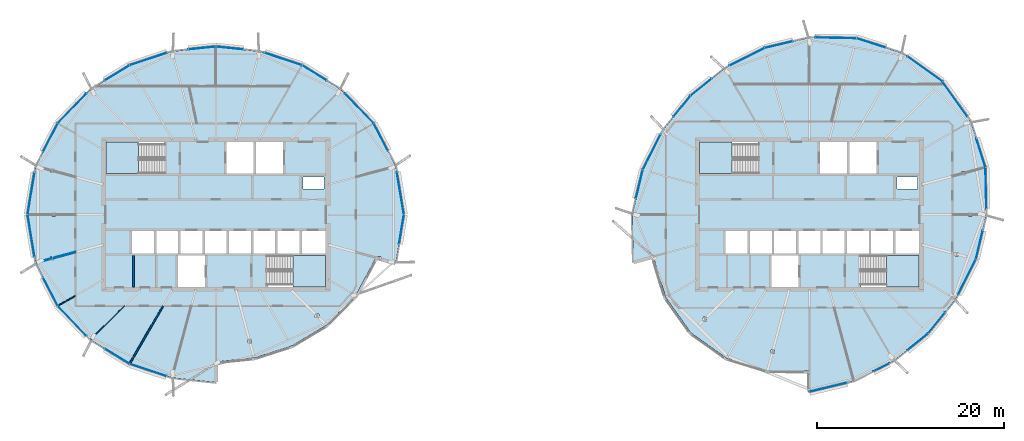
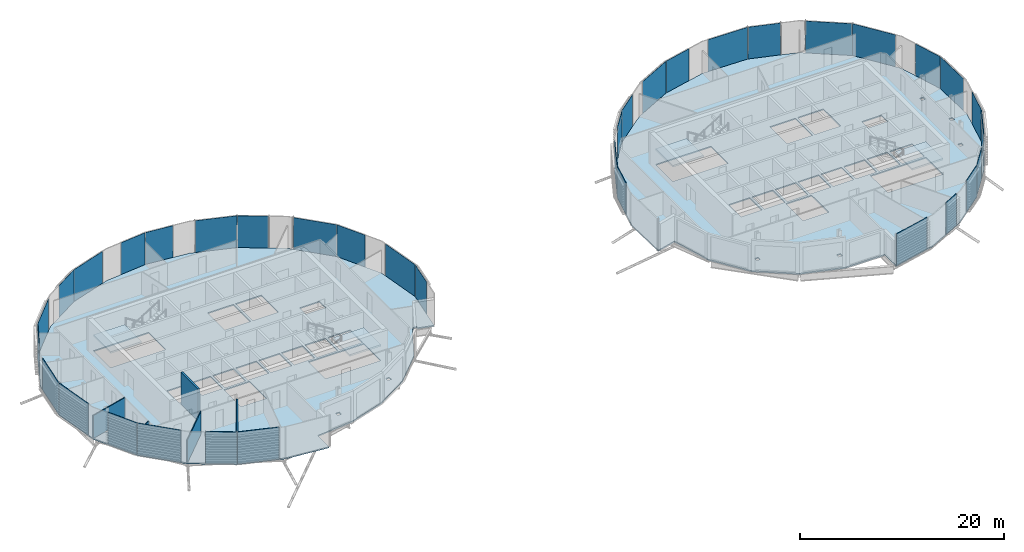
# One storey, part 17 of 36: 36 plates, 6 slabs, 5 walls, 6 elements without a shape of their own.
"""IFC4 building model written with IfcOpenShell, lengths in metres."""

import ifcopenshell
import ifcopenshell.guid

model = None  # the IFC model being written
_history = None  # IfcOwnerHistory: only IFC2X3 demands one
_inside = {}  # id of a spatial element -> (the spatial element, [elements in it])
_under = {}  # id of a project, library or spatial element -> (it, [spatial elements below it])
_declared = {}  # id of a project -> (the project, [libraries it declares])
_typed = {}  # id of a type object -> (the type object, [elements of that type])
_made_of = {}  # id of a material, layer set ... -> (it, [elements and type objects made of it])


def new_model(schema):
    """Start an empty IFC model of exactly this schema.

    Asked for "IFC4X3", IfcOpenShell would pick the latest addendum, in which some entities
    have other attributes; the version numbers below select the first issue.
    IFC2X3 requires an IfcOwnerHistory on every rooted entity: one is made here for all.
    """
    global model, _history
    if schema == "IFC4X3":
        model = ifcopenshell.file(schema_version=(4, 3, 0, 0))
    else:
        model = ifcopenshell.file(schema=schema)
    _inside.clear()
    _under.clear()
    _declared.clear()
    _typed.clear()
    _made_of.clear()
    _history = None
    if model.schema == "IFC2X3":
        org = make("IfcOrganization", Name="unknown")
        user = make(
            "IfcPersonAndOrganization",
            ThePerson=make("IfcPerson", FamilyName="unknown"),
            TheOrganization=org,
        )
        app = make(
            "IfcApplication",
            ApplicationDeveloper=org,
            Version="unknown",
            ApplicationFullName="unknown",
            ApplicationIdentifier="unknown",
        )
        _history = make(
            "IfcOwnerHistory",
            OwningUser=user,
            OwningApplication=app,
            ChangeAction="ADDED",
            CreationDate=0,
        )
    return model


def make(cls, **values):
    """One entity of the class cls with the attributes given. An attribute that is None is left unset."""
    return model.create_entity(
        cls, **{name: value for name, value in values.items() if value is not None}
    )


def rooted(cls, **values):
    """An entity with a GlobalId (a new one), such as an element, a storey or a relation."""
    return make(cls, GlobalId=ifcopenshell.guid.new(), OwnerHistory=_history, **values)


def si_unit(unit_type, name, prefix=None):
    """IfcSIUnit, for example si_unit("LENGTHUNIT", "METRE", prefix="MILLI")."""
    return make("IfcSIUnit", UnitType=unit_type, Prefix=prefix, Name=name)


def assignment(units):
    """IfcUnitAssignment: the units of a project."""
    return None if units is None else make("IfcUnitAssignment", Units=units)


def point(xyz):
    """IfcCartesianPoint."""
    return None if xyz is None else make("IfcCartesianPoint", Coordinates=xyz)


def direction(xyz):
    """IfcDirection."""
    return None if xyz is None else make("IfcDirection", DirectionRatios=xyz)


def frame(location, z_axis=None, x_axis=None):
    """IfcAxis2Placement3D, a coordinate frame: its origin and axes. An axis left out is left unset."""
    return make(
        "IfcAxis2Placement3D",
        Location=point(location),
        Axis=direction(z_axis),
        RefDirection=direction(x_axis),
    )


def frame_2d(location, x_axis=None):
    """IfcAxis2Placement2D, a coordinate frame in the plane: its origin and x axis."""
    return make(
        "IfcAxis2Placement2D", Location=point(location), RefDirection=direction(x_axis)
    )


def origin():
    """The frame at (0, 0, 0) with its axes left unset."""
    return frame((0.0, 0.0, 0.0))


def origin_2d():
    """The frame at (0, 0) in the plane with its x axis left unset."""
    return frame_2d((0.0, 0.0))


def place(relative_to, where):
    """IfcLocalPlacement: puts the frame where relative to a parent placement (None: the world)."""
    return make(
        "IfcLocalPlacement", PlacementRelTo=relative_to, RelativePlacement=where
    )


def context(
    kind, dimensions, precision=None, world=None, true_north=None, identifier=None
):
    """IfcGeometricRepresentationContext, for example the 3D "Model" context."""
    return make(
        "IfcGeometricRepresentationContext",
        ContextIdentifier=identifier,
        ContextType=kind,
        CoordinateSpaceDimension=dimensions,
        Precision=precision,
        WorldCoordinateSystem=world,
        TrueNorth=true_north,
    )


def subcontext(parent, identifier, kind, view, scale=None):
    """IfcGeometricRepresentationSubContext, for example "Body" below "Model"."""
    return make(
        "IfcGeometricRepresentationSubContext",
        ContextIdentifier=identifier,
        ContextType=kind,
        ParentContext=parent,
        TargetScale=scale,
        TargetView=view,
    )


def project(units=None, contexts=None):
    """IfcProject with its units and contexts."""
    return rooted(
        "IfcProject",
        Name="project",
        RepresentationContexts=contexts,
        UnitsInContext=assignment(units),
    )


def spatial(cls, under=None, at=None, **own):
    """A site, building, storey or space (cls), placed at a placement, below another one or the project."""
    s = rooted(cls, ObjectPlacement=at, **own)
    if under is not None:
        _under.setdefault(under.id(), (under, []))[1].append(s)
    return s


def polyline(points):
    """IfcPolyline through the points."""
    return make("IfcPolyline", Points=[point(p) for p in points])


def profile(cls, at=None, kind="AREA", **sizes):
    """A parametric profile (cls). Its sizes go by their IFC names, for example OverallWidth=200.0."""
    return make(cls, ProfileType=kind, Position=at, **sizes)


def rectangle(**sizes):
    """IfcRectangleProfileDef."""
    return profile("IfcRectangleProfileDef", **sizes)


def outline(outer, holes=None, kind="AREA"):
    """IfcArbitraryClosedProfileDef: a profile drawn as a closed curve; with holes, ...WithVoids."""
    if holes is None:
        return make("IfcArbitraryClosedProfileDef", ProfileType=kind, OuterCurve=outer)
    return make(
        "IfcArbitraryProfileDefWithVoids",
        ProfileType=kind,
        OuterCurve=outer,
        InnerCurves=holes,
    )


def extrude(swept, where, along, depth):
    """IfcExtrudedAreaSolid: the profile swept, set in the frame where, extruded along a direction by depth."""
    return make(
        "IfcExtrudedAreaSolid",
        SweptArea=swept,
        Position=where,
        ExtrudedDirection=direction(along),
        Depth=depth,
    )


def shape(context_of_items, identifier, shape_type, items):
    """IfcShapeRepresentation: the items that make up one representation, for example the "Body"."""
    return make(
        "IfcShapeRepresentation",
        ContextOfItems=context_of_items,
        RepresentationIdentifier=identifier,
        RepresentationType=shape_type,
        Items=items,
    )


def material(Name=None, Category=None):
    """IfcMaterial."""
    return make("IfcMaterial", Name=Name, Category=Category)


def layer(
    of_material, thickness, ventilated=None, Name=None, Category=None, Priority=None
):
    """IfcMaterialLayer: one layer of a wall or slab, of a material (None: an air gap)."""
    return make(
        "IfcMaterialLayer",
        Material=of_material,
        LayerThickness=thickness,
        IsVentilated=ventilated,
        Name=Name,
        Category=Category,
        Priority=Priority,
    )


def layer_set(layers, Name=None):
    """IfcMaterialLayerSet."""
    return make("IfcMaterialLayerSet", MaterialLayers=layers, LayerSetName=Name)


def made_of(thing, what):
    """Note that an element or type object is made of a material, layer set ...; save() writes the relation."""
    if what is not None:
        _made_of.setdefault(what.id(), (what, []))[1].append(thing)
    return thing


def type_object(cls, material=None, **own):
    """A type object (cls), such as IfcWallType, which elements share."""
    return made_of(rooted(cls, **own), material)


def element(
    cls,
    number,
    at=None,
    inside=None,
    cuts=None,
    type_object=None,
    material=None,
    context=None,
    identifier="Body",
    shape_type=None,
    held_by="IfcProductDefinitionShape",
    body=None,
    shapes=None,
    **own,
):
    """One element of the class cls, such as IfcWall. Its Tag is "e" and its number.

    at: its placement. inside: the storey or other place that contains it. cuts: it is an
    opening in that element (IfcRelVoidsElement). A single representation is given by context,
    identifier, shape_type and body (its items); several are given by shapes. held_by: the class
    of the entity that holds the representations. save() writes the other relations.
    """
    e = rooted(cls, Tag="e%d" % number, ObjectPlacement=at, **own)
    if body is not None:
        shapes = [shape(context, identifier, shape_type, body)]
    if shapes is not None:
        e.Representation = make(held_by, Representations=shapes)
    if inside is not None:
        _inside.setdefault(inside.id(), (inside, []))[1].append(e)
    if cuts is not None:
        rooted(
            "IfcRelVoidsElement", RelatingBuildingElement=cuts, RelatedOpeningElement=e
        )
    if type_object is not None:
        _typed.setdefault(type_object.id(), (type_object, []))[1].append(e)
    return made_of(e, material)


def aggregate(whole, parts):
    """IfcRelAggregates: a whole, such as a stair, and the parts it consists of."""
    return rooted("IfcRelAggregates", RelatingObject=whole, RelatedObjects=parts)


def save(model, path):
    """Write the relations noted so far, then the file.

    IfcRelAggregates (storeys below a building ...), IfcRelContainedInSpatialStructure (elements
    in a storey), IfcRelDefinesByType, IfcRelAssociatesMaterial and IfcRelDeclares: one each for
    every whole, place, type object, material and project.
    """
    for whole, parts in _under.values():
        aggregate(whole, parts)
    for where, things in _inside.values():
        rooted(
            "IfcRelContainedInSpatialStructure",
            RelatedElements=things,
            RelatingStructure=where,
        )
    for kind, things in _typed.values():
        rooted("IfcRelDefinesByType", RelatedObjects=things, RelatingType=kind)
    for what, things in _made_of.values():
        rooted("IfcRelAssociatesMaterial", RelatedObjects=things, RelatingMaterial=what)
    for by, libraries in _declared.values():
        rooted("IfcRelDeclares", RelatingContext=by, RelatedDefinitions=libraries)
    model.write(path)


model = new_model("IFC4")

# Units and contexts
model_context = context("Model", 3, precision=1e-05, world=origin(), true_north=direction((0.0, 1.0)))
body_context = subcontext(model_context, "Body", "Model", "MODEL_VIEW")
ifc_project = project(units=[si_unit("LENGTHUNIT", "METRE"), si_unit("AREAUNIT", "SQUARE_METRE"), si_unit("VOLUMEUNIT", "CUBIC_METRE"), si_unit("PLANEANGLEUNIT", "RADIAN"), si_unit("MASSUNIT", "GRAM", prefix="KILO")], contexts=[model_context])

# Site, building, storey
site_placement = place(None, origin())
site = spatial("IfcSite", under=ifc_project, at=site_placement, CompositionType="ELEMENT")
building_placement = place(site_placement, origin())
building = spatial("IfcBuilding", under=site, at=building_placement, Name="Rimbun Link Towers", CompositionType="ELEMENT")
storey_placement = place(building_placement, frame((0.0, 0.0, 248.5)))
storey = spatial("IfcBuildingStorey", under=building, at=storey_placement, Name="L61", CompositionType="ELEMENT", Elevation=248.5)

# Slabs
ifc_material_1 = material(Name="Concrete C35/45", Category="concrete")
ifc_layer_1 = layer(ifc_material_1, 0.139892578125)
ifc_layer_set_1 = layer_set([ifc_layer_1], Name="COMPOSITE FLOOR 140")
slab_type_1 = type_object("IfcSlabType", Name="COMPOSITE FLOOR 140", PredefinedType="FLOOR", material=ifc_layer_set_1)
slab_1_placement = place(storey_placement, frame((0.0, 0.0, -0.139892578125)))
element("IfcSlab", 1, at=slab_1_placement, inside=storey, type_object=slab_type_1, Name="Floor slab T1 L61", PredefinedType="FLOOR", context=body_context, shape_type="SweptSolid", body=[
    extrude(outline(polyline([(-14.615966796875, -4.591064453125), (-16.77001953125, -8.648681640625), (-19.91357421875, -11.83642578125), (-23.63671875, -14.052490234375), (-27.640869140625, -15.33544921875), (-31.75, -15.75341796875), (-31.75, -17.953369140625), (-36.428466796875, -17.460693359375), (-40.96337890625, -15.957763671875), (-45.14208984375, -13.39208984375), (-48.635009765625, -9.74853515625), (-51.009033203125, -5.160400390625), (-51.857666015625, 0.0), (-51.009033203125, 5.160400390625), (-48.635009765625, 9.74853515625), (-45.14208984375, 13.39208984375), (-40.96337890625, 15.957763671875), (-36.428466796875, 17.460693359375), (-31.75, 17.953369140625), (-27.071533203125, 17.460693359375), (-22.53662109375, 15.957763671875), (-18.35791015625, 13.39208984375), (-14.864990234375, 9.74853515625), (-12.490966796875, 5.160400390625), (-11.642333984375, 0.0), (-12.490966796875, -5.160400390625), (-14.0712890625, -4.737060546875), (-14.0712890625, -4.48681640625), (-14.470458984375, -4.48681640625), (-14.470458984375, -4.630126953125), (-14.615966796875, -4.591064453125)]), holes=[polyline([(-32.89990234375, -7.75), (-32.89990234375, -4.39990234375), (-35.800048828125, -4.39990234375), (-35.800048828125, -7.75), (-32.89990234375, -7.75)]), polyline([(-49.03271484375, -4.881103515625), (-49.03271484375, -4.487548828125), (-49.431640625, -4.487548828125), (-49.431640625, -4.881103515625), (-49.03271484375, -4.881103515625)]), polyline([(-38.361083984375, -4.14990234375), (-38.361083984375, -1.75), (-40.70556640625, -1.75), (-40.70556640625, -4.14990234375), (-38.361083984375, -4.14990234375)]), polyline([(-38.111083984375, -4.14990234375), (-35.7666015625, -4.14990234375), (-35.7666015625, -1.75), (-38.111083984375, -1.75), (-38.111083984375, -4.14990234375)]), polyline([(-35.5166015625, -4.14990234375), (-33.172119140625, -4.14990234375), (-33.172119140625, -1.75), (-35.5166015625, -1.75), (-35.5166015625, -4.14990234375)]), polyline([(-30.577880859375, -4.14990234375), (-30.577880859375, -1.75), (-32.922119140625, -1.75), (-32.922119140625, -4.14990234375), (-30.577880859375, -4.14990234375)]), polyline([(-27.9833984375, -4.14990234375), (-27.9833984375, -1.75), (-30.327880859375, -1.75), (-30.327880859375, -4.14990234375), (-27.9833984375, -4.14990234375)]), polyline([(-48.897216796875, -0.19677734375), (-48.897216796875, 0.19677734375), (-49.296142578125, 0.19677734375), (-49.296142578125, -0.19677734375), (-48.897216796875, -0.19677734375)]), polyline([(-49.431640625, 4.487548828125), (-49.03271484375, 4.487548828125), (-49.03271484375, 4.881103515625), (-49.431640625, 4.881103515625), (-49.431640625, 4.487548828125)]), polyline([(-43.5, 4.39990234375), (-37.260009765625, 4.39990234375), (-37.260009765625, 7.75), (-43.5, 7.75), (-43.5, 4.39990234375)]), polyline([(-27.921630859375, -13.739990234375), (-27.921630859375, -13.34619140625), (-28.320556640625, -13.34619140625), (-28.320556640625, -13.739990234375), (-27.921630859375, -13.739990234375)]), polyline([(-20.713623046875, -11.03369140625), (-20.713623046875, -10.64013671875), (-21.112548828125, -10.64013671875), (-21.112548828125, -11.03369140625), (-20.713623046875, -11.03369140625)]), polyline([(-20.0, -7.75), (-20.0, -4.39990234375), (-26.239990234375, -4.39990234375), (-26.239990234375, -7.75), (-20.0, -7.75)]), polyline([(-27.7333984375, -4.14990234375), (-25.388916015625, -4.14990234375), (-25.388916015625, -1.75), (-27.7333984375, -1.75), (-27.7333984375, -4.14990234375)]), polyline([(-22.79443359375, -4.14990234375), (-22.79443359375, -1.75), (-25.138916015625, -1.75), (-25.138916015625, -4.14990234375), (-22.79443359375, -4.14990234375)]), polyline([(-20.0, -4.14990234375), (-20.0, -1.75), (-22.54443359375, -1.75), (-22.54443359375, -4.14990234375), (-20.0, -4.14990234375)]), polyline([(-22.394287109375, 2.75), (-20.14990234375, 2.75), (-20.14990234375, 4.0), (-22.394287109375, 4.0), (-22.394287109375, 2.75)]), polyline([(-30.60009765625, 4.39990234375), (-27.699951171875, 4.39990234375), (-27.699951171875, 7.75), (-30.60009765625, 7.75), (-30.60009765625, 4.39990234375)]), polyline([(-27.449951171875, 4.39990234375), (-24.550048828125, 4.39990234375), (-24.550048828125, 7.75), (-27.449951171875, 7.75), (-27.449951171875, 4.39990234375)])]), origin(), (0.0, 0.0, 1.0), 0.139892578125),
])
slab_2_placement = place(storey_placement, frame((0.0, 0.0, -0.139892578125)))
element("IfcSlab", 2, at=slab_2_placement, inside=storey, type_object=slab_type_1, Name="Floor slab T2 L61", PredefinedType="FLOOR", context=body_context, shape_type="SweptSolid", body=[
    extrude(outline(polyline([(12.810791015625, 0.0), (13.951416015625, 4.76904296875), (16.09521484375, 9.038330078125), (19.05517578125, 12.69482421875), (22.711669921875, 15.65478515625), (26.98095703125, 17.798583984375), (31.75, 18.939208984375), (36.79638671875, 18.8330078125), (41.71923828125, 17.267333984375), (45.96826171875, 14.21826171875), (49.017333984375, 9.96923828125), (50.5830078125, 5.04638671875), (50.689208984375, 0.0), (49.548583984375, -4.76904296875), (47.40478515625, -9.038330078125), (44.44482421875, -12.69482421875), (40.788330078125, -15.65478515625), (36.51904296875, -17.798583984375), (31.75, -18.939208984375), (31.75, -16.7392578125), (27.273193359375, -16.7080078125), (22.880615234375, -15.362060546875), (19.08740234375, -12.66259765625), (16.387939453125, -8.869384765625), (15.0419921875, -4.476806640625), (12.9169921875, -5.04638671875), (12.810791015625, 0.0)]), holes=[polyline([(28.02734375, -14.834228515625), (28.02734375, -14.440673828125), (27.62841796875, -14.440673828125), (27.62841796875, -14.834228515625), (28.02734375, -14.834228515625)]), polyline([(20.77392578125, -11.372314453125), (20.77392578125, -10.978759765625), (20.375, -10.978759765625), (20.375, -11.372314453125), (20.77392578125, -11.372314453125)]), polyline([(30.60009765625, -7.75), (30.60009765625, -4.39990234375), (27.699951171875, -4.39990234375), (27.699951171875, -7.75), (30.60009765625, -7.75)]), polyline([(25.138916015625, -4.14990234375), (25.138916015625, -1.75), (22.79443359375, -1.75), (22.79443359375, -4.14990234375), (25.138916015625, -4.14990234375)]), polyline([(27.7333984375, -4.14990234375), (27.7333984375, -1.75), (25.388916015625, -1.75), (25.388916015625, -4.14990234375), (27.7333984375, -4.14990234375)]), polyline([(30.327880859375, -4.14990234375), (30.327880859375, -1.75), (27.9833984375, -1.75), (27.9833984375, -4.14990234375), (30.327880859375, -4.14990234375)]), polyline([(32.922119140625, -4.14990234375), (32.922119140625, -1.75), (30.577880859375, -1.75), (30.577880859375, -4.14990234375), (32.922119140625, -4.14990234375)]), polyline([(33.172119140625, -4.14990234375), (35.5166015625, -4.14990234375), (35.5166015625, -1.75), (33.172119140625, -1.75), (33.172119140625, -4.14990234375)]), polyline([(20.0, 4.39990234375), (26.239990234375, 4.39990234375), (26.239990234375, 7.75), (20.0, 7.75), (20.0, 4.39990234375)]), polyline([(35.800048828125, 4.39990234375), (35.800048828125, 7.75), (32.89990234375, 7.75), (32.89990234375, 4.39990234375), (35.800048828125, 4.39990234375)]), polyline([(43.5, -7.75), (43.5, -4.39990234375), (37.260009765625, -4.39990234375), (37.260009765625, -7.75), (43.5, -7.75)]), polyline([(47.71923828125, -4.42236328125), (47.71923828125, -4.02880859375), (47.3203125, -4.02880859375), (47.3203125, -4.42236328125), (47.71923828125, -4.42236328125)]), polyline([(35.7666015625, -4.14990234375), (38.111083984375, -4.14990234375), (38.111083984375, -1.75), (35.7666015625, -1.75), (35.7666015625, -4.14990234375)]), polyline([(38.361083984375, -4.14990234375), (40.70556640625, -4.14990234375), (40.70556640625, -1.75), (38.361083984375, -1.75), (38.361083984375, -4.14990234375)]), polyline([(43.5, -4.14990234375), (43.5, -1.75), (40.95556640625, -1.75), (40.95556640625, -4.14990234375), (43.5, -4.14990234375)]), polyline([(49.155517578125, -0.19677734375), (49.155517578125, 0.19677734375), (48.75634765625, 0.19677734375), (48.75634765625, -0.19677734375), (49.155517578125, -0.19677734375)]), polyline([(41.105712890625, 2.75), (43.35009765625, 2.75), (43.35009765625, 4.0), (41.105712890625, 4.0), (41.105712890625, 2.75)]), polyline([(48.011962890625, 4.214111328125), (48.410888671875, 4.214111328125), (48.410888671875, 4.607666015625), (48.011962890625, 4.607666015625), (48.011962890625, 4.214111328125)]), polyline([(36.050048828125, 4.39990234375), (38.949951171875, 4.39990234375), (38.949951171875, 7.75), (36.050048828125, 7.75), (36.050048828125, 4.39990234375)])]), origin(), (0.0, 0.0, 1.0), 0.139892578125),
])

# Curtain wall, plates
ifc_material_2 = material(Name="Aluminium 6063-T6 and low-iron glass", Category="aluminium")
curtain_wall_type = type_object("IfcCurtainWallType", Name="CW1-Z4 unitised vision wall (zone 4)", PredefinedType="NOTDEFINED", material=ifc_material_2)
curtain_wall_1_placement = place(storey_placement, origin())
curtain_wall_1 = element("IfcCurtainWall", 3, at=curtain_wall_1_placement, inside=storey, type_object=curtain_wall_type, Name="CW1 L61 T1", PredefinedType="NOTDEFINED")
ifc_material_3 = material(Name="Low-iron glass, laminated low-e unit", Category="glass")
ifc_layer_2 = layer(ifc_material_3, 0.028076171875)
ifc_layer_set_2 = layer_set([ifc_layer_2], Name="CW1 panel Low-iron glass 28")
plate_type = type_object("IfcPlateType", Name="CW1 panel Low-iron glass 28", PredefinedType="CURTAIN_PANEL", material=ifc_layer_set_2)
plate_1_placement = place(storey_placement, frame((-12.004150390625, 2.286376953125, 0.0), z_axis=(0.0, 0.0, 1.0), x_axis=(0.162262199201, -0.986747677327, 0.0)))
plate_1 = element("IfcPlate", 4, at=plate_1_placement, type_object=plate_type, Name="CW1 panel", PredefinedType="CURTAIN_PANEL", context=body_context, shape_type="SweptSolid", body=[
    extrude(rectangle(XDim=4.58984375, YDim=0.028076171875, at=origin_2d()), origin(), (0.0, 0.0, 1.0), 3.800048828125),
])
plate_2_placement = place(storey_placement, frame((-14.090576171875, 8.282470703125, 0.0), z_axis=(0.0, 0.0, 1.0), x_axis=(0.459551935126, -0.888150898734, 0.0)))
plate_2 = element("IfcPlate", 5, at=plate_2_placement, type_object=plate_type, Name="CW1 panel", PredefinedType="CURTAIN_PANEL", context=body_context, shape_type="SweptSolid", body=[
    extrude(rectangle(XDim=3.27587890625, YDim=0.028076171875, at=origin_2d()), origin(), (0.0, 0.0, 1.0), 3.800048828125),
])
plate_3_placement = place(storey_placement, frame((-16.393798828125, 11.363525390625, 0.0), z_axis=(0.0, 0.0, 1.0), x_axis=(0.692040898915, -0.721858292347, 0.0)))
plate_3 = element("IfcPlate", 6, at=plate_3_placement, type_object=plate_type, Name="CW1 panel", PredefinedType="CURTAIN_PANEL", context=body_context, shape_type="SweptSolid", body=[
    extrude(rectangle(XDim=4.407470703125, YDim=0.028076171875, at=origin_2d()), origin(), (0.0, 0.0, 1.0), 3.800048828125),
])
plate_4_placement = place(storey_placement, frame((-21.20703125, 15.15771484375, 0.0), z_axis=(0.0, 0.0, 1.0), x_axis=(0.852192124219, -0.523228997113, 0.0)))
plate_4 = element("IfcPlate", 7, at=plate_4_placement, type_object=plate_type, Name="CW1 panel", PredefinedType="CURTAIN_PANEL", context=body_context, shape_type="SweptSolid", body=[
    extrude(rectangle(XDim=3.0634765625, YDim=0.028076171875, at=origin_2d()), origin(), (0.0, 0.0, 1.0), 3.800048828125),
])
plate_5_placement = place(storey_placement, frame((-24.53857421875, 16.635986328125, 0.0), z_axis=(0.0, 0.0, 1.0), x_axis=(0.949234460205, -0.314569451089, 0.0)))
plate_5 = element("IfcPlate", 8, at=plate_5_placement, type_object=plate_type, Name="CW1 panel", PredefinedType="CURTAIN_PANEL", context=body_context, shape_type="SweptSolid", body=[
    extrude(rectangle(XDim=4.187255859375, YDim=0.028076171875, at=origin_2d()), origin(), (0.0, 0.0, 1.0), 3.800048828125),
])
plate_6_placement = place(storey_placement, frame((-30.279541015625, 17.8125, 0.0), z_axis=(0.0, 0.0, 1.0), x_axis=(0.994500443326, -0.10473236474, 0.0)))
plate_6 = element("IfcPlate", 9, at=plate_6_placement, type_object=plate_type, Name="CW1 panel", PredefinedType="CURTAIN_PANEL", context=body_context, shape_type="SweptSolid", body=[
    extrude(rectangle(XDim=2.914306640625, YDim=0.028076171875, at=origin_2d()), origin(), (0.0, 0.0, 1.0), 3.800048828125),
])
plate_7_placement = place(storey_placement, frame((-33.220458984375, 17.8125, 0.0), z_axis=(0.0, 0.0, 1.0), x_axis=(0.994500443326, 0.10473236474, 0.0)))
plate_7 = element("IfcPlate", 10, at=plate_7_placement, type_object=plate_type, Name="CW1 panel", PredefinedType="CURTAIN_PANEL", context=body_context, shape_type="SweptSolid", body=[
    extrude(rectangle(XDim=2.914306640625, YDim=0.028076171875, at=origin_2d()), origin(), (0.0, 0.0, 1.0), 3.800048828125),
])
plate_8_placement = place(storey_placement, frame((-38.96142578125, 16.635986328125, 0.0), z_axis=(0.0, 0.0, 1.0), x_axis=(0.949234460205, 0.314569451089, 0.0)))
plate_8 = element("IfcPlate", 11, at=plate_8_placement, type_object=plate_type, Name="CW1 panel", PredefinedType="CURTAIN_PANEL", context=body_context, shape_type="SweptSolid", body=[
    extrude(rectangle(XDim=4.187255859375, YDim=0.028076171875, at=origin_2d()), origin(), (0.0, 0.0, 1.0), 3.800048828125),
])
plate_9_placement = place(storey_placement, frame((-42.29296875, 15.15771484375, 0.0), z_axis=(0.0, 0.0, 1.0), x_axis=(0.852192124219, 0.523228997113, 0.0)))
plate_9 = element("IfcPlate", 12, at=plate_9_placement, type_object=plate_type, Name="CW1 panel", PredefinedType="CURTAIN_PANEL", context=body_context, shape_type="SweptSolid", body=[
    extrude(rectangle(XDim=3.0634765625, YDim=0.028076171875, at=origin_2d()), origin(), (0.0, 0.0, 1.0), 3.800048828125),
])
plate_10_placement = place(storey_placement, frame((-47.106201171875, 11.363525390625, 0.0), z_axis=(0.0, 0.0, 1.0), x_axis=(0.692040898915, 0.721858292347, 0.0)))
plate_10 = element("IfcPlate", 13, at=plate_10_placement, type_object=plate_type, Name="CW1 panel", PredefinedType="CURTAIN_PANEL", context=body_context, shape_type="SweptSolid", body=[
    extrude(rectangle(XDim=4.407470703125, YDim=0.028076171875, at=origin_2d()), origin(), (0.0, 0.0, 1.0), 3.800048828125),
])
plate_11_placement = place(storey_placement, frame((-49.432373046875, 8.238037109375, 0.0), z_axis=(0.0, 0.0, 1.0), x_axis=(0.459551935126, 0.888150898734, 0.0)))
plate_11 = element("IfcPlate", 14, at=plate_11_placement, type_object=plate_type, Name="CW1 panel", PredefinedType="CURTAIN_PANEL", context=body_context, shape_type="SweptSolid", body=[
    extrude(rectangle(XDim=3.3759765625, YDim=0.028076171875, at=origin_2d()), origin(), (0.0, 0.0, 1.0), 3.800048828125),
])
plate_12_placement = place(storey_placement, frame((-51.5, 2.26171875, 0.0), z_axis=(0.0, 0.0, 1.0), x_axis=(0.162262199201, 0.986747677327, 0.0)))
plate_12 = element("IfcPlate", 15, at=plate_12_placement, type_object=plate_type, Name="CW1 panel", PredefinedType="CURTAIN_PANEL", context=body_context, shape_type="SweptSolid", body=[
    extrude(rectangle(XDim=4.539794921875, YDim=0.028076171875, at=origin_2d()), origin(), (0.0, 0.0, 1.0), 3.800048828125),
])
plate_13_placement = place(storey_placement, frame((-51.5, -2.26171875, 0.0), z_axis=(0.0, 0.0, 1.0), x_axis=(-0.162262199201, 0.986747677327, 0.0)))
plate_13 = element("IfcPlate", 16, at=plate_13_placement, type_object=plate_type, Name="CW1 panel", PredefinedType="CURTAIN_PANEL", context=body_context, shape_type="SweptSolid", body=[
    extrude(rectangle(XDim=4.539794921875, YDim=0.028076171875, at=origin_2d()), origin(), (0.0, 0.0, 1.0), 3.800048828125),
])
plate_14_placement = place(storey_placement, frame((-49.432373046875, -8.238037109375, 0.0), z_axis=(0.0, 0.0, 1.0), x_axis=(-0.459551935126, 0.888150898734, 0.0)))
plate_14 = element("IfcPlate", 17, at=plate_14_placement, type_object=plate_type, Name="CW1 panel", PredefinedType="CURTAIN_PANEL", context=body_context, shape_type="SweptSolid", body=[
    extrude(rectangle(XDim=3.3759765625, YDim=0.028076171875, at=origin_2d()), origin(), (0.0, 0.0, 1.0), 3.800048828125),
])
plate_15_placement = place(storey_placement, frame((-47.106201171875, -11.363525390625, 0.0), z_axis=(0.0, 0.0, 1.0), x_axis=(-0.692040898915, 0.721858292347, 0.0)))
plate_15 = element("IfcPlate", 18, at=plate_15_placement, type_object=plate_type, Name="CW1 panel", PredefinedType="CURTAIN_PANEL", context=body_context, shape_type="SweptSolid", body=[
    extrude(rectangle(XDim=4.407470703125, YDim=0.028076171875, at=origin_2d()), origin(), (0.0, 0.0, 1.0), 3.800048828125),
])
plate_16_placement = place(storey_placement, frame((-42.29296875, -15.15771484375, 0.0), z_axis=(0.0, 0.0, 1.0), x_axis=(-0.852192124219, 0.523228997113, 0.0)))
plate_16 = element("IfcPlate", 19, at=plate_16_placement, type_object=plate_type, Name="CW1 panel", PredefinedType="CURTAIN_PANEL", context=body_context, shape_type="SweptSolid", body=[
    extrude(rectangle(XDim=3.0634765625, YDim=0.028076171875, at=origin_2d()), origin(), (0.0, 0.0, 1.0), 3.800048828125),
])
plate_17_placement = place(storey_placement, frame((-38.985107421875, -16.628173828125, 0.0), z_axis=(0.0, 0.0, 1.0), x_axis=(-0.949234460205, 0.314569451089, 0.0)))
plate_17 = element("IfcPlate", 20, at=plate_17_placement, type_object=plate_type, Name="CW1 panel", PredefinedType="CURTAIN_PANEL", context=body_context, shape_type="SweptSolid", body=[
    extrude(rectangle(XDim=4.13720703125, YDim=0.028076171875, at=origin_2d()), origin(), (0.0, 0.0, 1.0), 3.800048828125),
])
plate_18_placement = place(storey_placement, frame((-11.886474609375, -1.571044921875, 0.0), z_axis=(0.0, 0.0, 1.0), x_axis=(-0.162262199201, -0.986747677327, 0.0)))
plate_18 = element("IfcPlate", 21, at=plate_18_placement, type_object=plate_type, Name="CW1 panel", PredefinedType="CURTAIN_PANEL", context=body_context, shape_type="SweptSolid", body=[
    extrude(rectangle(XDim=3.139892578125, YDim=0.028076171875, at=origin_2d()), origin(), (0.0, 0.0, 1.0), 3.800048828125),
])
aggregate(curtain_wall_1, [plate_1, plate_2, plate_3, plate_4, plate_5, plate_6, plate_7, plate_8, plate_9, plate_10, plate_11, plate_12, plate_13, plate_14, plate_15, plate_16, plate_17, plate_18])

curtain_wall_2_placement = place(storey_placement, origin())
curtain_wall_2 = element("IfcCurtainWall", 22, at=curtain_wall_2_placement, inside=storey, type_object=curtain_wall_type, Name="CW1 L61 T2", PredefinedType="NOTDEFINED")
plate_19_placement = place(storey_placement, frame((44.095703125, 15.579345703125, 0.0), z_axis=(0.0, 0.0, 1.0), x_axis=(0.812465398272, -0.583009413827, 0.0)))
plate_19 = element("IfcPlate", 23, at=plate_19_placement, type_object=plate_type, Name="CW1 panel", PredefinedType="CURTAIN_PANEL", context=body_context, shape_type="SweptSolid", body=[
    extrude(rectangle(XDim=4.58984375, YDim=0.028076171875, at=origin_2d()), origin(), (0.0, 0.0, 1.0), 3.800048828125),
])
plate_20_placement = place(storey_placement, frame((38.380615234375, 18.34375, 0.0), z_axis=(0.0, 0.0, 1.0), x_axis=(0.952971021704, -0.303061432375, 0.0)))
plate_20 = element("IfcPlate", 24, at=plate_20_placement, type_object=plate_type, Name="CW1 panel", PredefinedType="CURTAIN_PANEL", context=body_context, shape_type="SweptSolid", body=[
    extrude(rectangle(XDim=3.27587890625, YDim=0.028076171875, at=origin_2d()), origin(), (0.0, 0.0, 1.0), 3.800048828125),
])
plate_21_placement = place(storey_placement, frame((34.573486328125, 18.893798828125, 0.0), z_axis=(0.0, 0.0, 1.0), x_axis=(0.999778207989, -0.021060266635, 0.0)))
plate_21 = element("IfcPlate", 25, at=plate_21_placement, type_object=plate_type, Name="CW1 panel", PredefinedType="CURTAIN_PANEL", context=body_context, shape_type="SweptSolid", body=[
    extrude(rectangle(XDim=4.407470703125, YDim=0.028076171875, at=origin_2d()), origin(), (0.0, 0.0, 1.0), 3.800048828125),
])
plate_22_placement = place(storey_placement, frame((28.48681640625, 18.173095703125, 0.0), z_axis=(0.0, 0.0, 1.0), x_axis=(0.972571370192, 0.232604664363, 0.0)))
plate_22 = element("IfcPlate", 26, at=plate_22_placement, type_object=plate_type, Name="CW1 panel", PredefinedType="CURTAIN_PANEL", context=body_context, shape_type="SweptSolid", body=[
    extrude(rectangle(XDim=3.063720703125, YDim=0.028076171875, at=origin_2d()), origin(), (0.0, 0.0, 1.0), 3.800048828125),
])
plate_23_placement = place(storey_placement, frame((25.085693359375, 16.862548828125, 0.0), z_axis=(0.0, 0.0, 1.0), x_axis=(0.893647148893, 0.4487702901, 0.0)))
plate_23 = element("IfcPlate", 27, at=plate_23_placement, type_object=plate_type, Name="CW1 panel", PredefinedType="CURTAIN_PANEL", context=body_context, shape_type="SweptSolid", body=[
    extrude(rectangle(XDim=4.187255859375, YDim=0.028076171875, at=origin_2d()), origin(), (0.0, 0.0, 1.0), 3.800048828125),
])
plate_24_placement = place(storey_placement, frame((20.175048828125, 13.619384765625, 0.0), z_axis=(0.0, 0.0, 1.0), x_axis=(0.777276551105, 0.629159092045, 0.0)))
plate_24 = element("IfcPlate", 28, at=plate_24_placement, type_object=plate_type, Name="CW1 panel", PredefinedType="CURTAIN_PANEL", context=body_context, shape_type="SweptSolid", body=[
    extrude(rectangle(XDim=2.8642578125, YDim=0.028076171875, at=origin_2d()), origin(), (0.0, 0.0, 1.0), 3.800048828125),
])
plate_25_placement = place(storey_placement, frame((18.130615234375, 11.574951171875, 0.0), z_axis=(0.0, 0.0, 1.0), x_axis=(0.629159092045, 0.777276551105, 0.0)))
plate_25 = element("IfcPlate", 29, at=plate_25_placement, type_object=plate_type, Name="CW1 panel", PredefinedType="CURTAIN_PANEL", context=body_context, shape_type="SweptSolid", body=[
    extrude(rectangle(XDim=2.8642578125, YDim=0.028076171875, at=origin_2d()), origin(), (0.0, 0.0, 1.0), 3.800048828125),
])
plate_26_placement = place(storey_placement, frame((14.887451171875, 6.664306640625, 0.0), z_axis=(0.0, 0.0, 1.0), x_axis=(0.4487702901, 0.893647148893, 0.0)))
plate_26 = element("IfcPlate", 30, at=plate_26_placement, type_object=plate_type, Name="CW1 panel", PredefinedType="CURTAIN_PANEL", context=body_context, shape_type="SweptSolid", body=[
    extrude(rectangle(XDim=4.187255859375, YDim=0.028076171875, at=origin_2d()), origin(), (0.0, 0.0, 1.0), 3.800048828125),
])
plate_27_placement = place(storey_placement, frame((13.571044921875, 3.23876953125, 0.0), z_axis=(0.0, 0.0, 1.0), x_axis=(0.232604664363, 0.972571370192, 0.0)))
plate_27 = element("IfcPlate", 31, at=plate_27_placement, type_object=plate_type, Name="CW1 panel", PredefinedType="CURTAIN_PANEL", context=body_context, shape_type="SweptSolid", body=[
    extrude(rectangle(XDim=3.113525390625, YDim=0.028076171875, at=origin_2d()), origin(), (0.0, 0.0, 1.0), 3.800048828125),
])
plate_28_placement = place(storey_placement, frame((33.773193359375, -18.4697265625, 0.0), z_axis=(0.0, 0.0, 1.0), x_axis=(-0.972571370192, -0.232604664363, 0.0)))
plate_28 = element("IfcPlate", 32, at=plate_28_placement, type_object=plate_type, Name="CW1 panel", PredefinedType="CURTAIN_PANEL", context=body_context, shape_type="SweptSolid", body=[
    extrude(rectangle(XDim=4.113525390625, YDim=0.028076171875, at=origin_2d()), origin(), (0.0, 0.0, 1.0), 3.800048828125),
])
plate_29_placement = place(storey_placement, frame((39.44189453125, -16.346435546875, 0.0), z_axis=(0.0, 0.0, 1.0), x_axis=(-0.893647148893, -0.4487702901, 0.0)))
plate_29 = element("IfcPlate", 33, at=plate_29_placement, type_object=plate_type, Name="CW1 panel", PredefinedType="CURTAIN_PANEL", context=body_context, shape_type="SweptSolid", body=[
    extrude(rectangle(XDim=1.88720703125, YDim=0.028076171875, at=origin_2d()), origin(), (0.0, 0.0, 1.0), 3.800048828125),
])
plate_30_placement = place(storey_placement, frame((43.324951171875, -13.619384765625, 0.0), z_axis=(0.0, 0.0, 1.0), x_axis=(-0.777276551105, -0.629159092045, 0.0)))
plate_30 = element("IfcPlate", 34, at=plate_30_placement, type_object=plate_type, Name="CW1 panel", PredefinedType="CURTAIN_PANEL", context=body_context, shape_type="SweptSolid", body=[
    extrude(rectangle(XDim=2.8642578125, YDim=0.028076171875, at=origin_2d()), origin(), (0.0, 0.0, 1.0), 3.800048828125),
])
plate_31_placement = place(storey_placement, frame((45.369384765625, -11.574951171875, 0.0), z_axis=(0.0, 0.0, 1.0), x_axis=(-0.629159092045, -0.777276551105, 0.0)))
plate_31 = element("IfcPlate", 35, at=plate_31_placement, type_object=plate_type, Name="CW1 panel", PredefinedType="CURTAIN_PANEL", context=body_context, shape_type="SweptSolid", body=[
    extrude(rectangle(XDim=2.8642578125, YDim=0.028076171875, at=origin_2d()), origin(), (0.0, 0.0, 1.0), 3.800048828125),
])
plate_32_placement = place(storey_placement, frame((48.612548828125, -6.664306640625, 0.0), z_axis=(0.0, 0.0, 1.0), x_axis=(-0.4487702901, -0.893647148893, 0.0)))
plate_32 = element("IfcPlate", 36, at=plate_32_placement, type_object=plate_type, Name="CW1 panel", PredefinedType="CURTAIN_PANEL", context=body_context, shape_type="SweptSolid", body=[
    extrude(rectangle(XDim=4.187255859375, YDim=0.028076171875, at=origin_2d()), origin(), (0.0, 0.0, 1.0), 3.800048828125),
])
plate_33_placement = place(storey_placement, frame((49.928955078125, -3.23876953125, 0.0), z_axis=(0.0, 0.0, 1.0), x_axis=(-0.232604664363, -0.972571370192, 0.0)))
plate_33 = element("IfcPlate", 37, at=plate_33_placement, type_object=plate_type, Name="CW1 panel", PredefinedType="CURTAIN_PANEL", context=body_context, shape_type="SweptSolid", body=[
    extrude(rectangle(XDim=3.113525390625, YDim=0.028076171875, at=origin_2d()), origin(), (0.0, 0.0, 1.0), 3.800048828125),
])
plate_34_placement = place(storey_placement, frame((50.643310546875, 2.848388671875, 0.0), z_axis=(0.0, 0.0, 1.0), x_axis=(0.021060266635, -0.999778207989, 0.0)))
plate_34 = element("IfcPlate", 38, at=plate_34_placement, type_object=plate_type, Name="CW1 panel", PredefinedType="CURTAIN_PANEL", context=body_context, shape_type="SweptSolid", body=[
    extrude(rectangle(XDim=4.357421875, YDim=0.028076171875, at=origin_2d()), origin(), (0.0, 0.0, 1.0), 3.800048828125),
])
plate_35_placement = place(storey_placement, frame((50.101318359375, 6.606689453125, 0.0), z_axis=(0.0, 0.0, 1.0), x_axis=(0.303061432375, -0.952971021704, 0.0)))
plate_35 = element("IfcPlate", 39, at=plate_35_placement, type_object=plate_type, Name="CW1 panel", PredefinedType="CURTAIN_PANEL", context=body_context, shape_type="SweptSolid", body=[
    extrude(rectangle(XDim=3.225830078125, YDim=0.028076171875, at=origin_2d()), origin(), (0.0, 0.0, 1.0), 3.800048828125),
])
plate_36_placement = place(storey_placement, frame((47.329345703125, 12.345703125, 0.0), z_axis=(0.0, 0.0, 1.0), x_axis=(0.583009413827, -0.812465398272, 0.0)))
plate_36 = element("IfcPlate", 40, at=plate_36_placement, type_object=plate_type, Name="CW1 panel", PredefinedType="CURTAIN_PANEL", context=body_context, shape_type="SweptSolid", body=[
    extrude(rectangle(XDim=4.58984375, YDim=0.028076171875, at=origin_2d()), origin(), (0.0, 0.0, 1.0), 3.800048828125),
])
aggregate(curtain_wall_2, [plate_19, plate_20, plate_21, plate_22, plate_23, plate_24, plate_25, plate_26, plate_27, plate_28, plate_29, plate_30, plate_31, plate_32, plate_33, plate_34, plate_35, plate_36])

# Stair, slab
ifc_material_4 = material(Name="Concrete C40/50", Category="concrete")
stair_type = type_object("IfcStairType", Name="Exit stair 3800 rise", PredefinedType="HALF_TURN_STAIR", material=ifc_material_4)
stair_1_placement = place(storey_placement, origin())
stair_1 = element("IfcStair", 41, at=stair_1_placement, inside=storey, type_object=stair_type, Name="L61 EXIT STAIR A", PredefinedType="HALF_TURN_STAIR")
ifc_material_5 = material(Name="Concrete C40/50", Category="concrete")
ifc_layer_3 = layer(ifc_material_5, 0.199951171875)
ifc_layer_set_3 = layer_set([ifc_layer_3], Name="Stair landing")
slab_type_2 = type_object("IfcSlabType", Name="Stair landing", PredefinedType="LANDING", material=ifc_layer_set_3)
slab_3_placement = place(storey_placement, frame((0.0, 0.0, 1.699951171875)))
slab_3 = element("IfcSlab", 42, at=slab_3_placement, type_object=slab_type_2, Name="ST1 landing 1", PredefinedType="LANDING", context=body_context, shape_type="SweptSolid", body=[
    extrude(outline(polyline([(-40.0, 7.75), (-43.5, 7.75), (-43.5, 4.39990234375), (-40.0, 4.39990234375), (-40.0, 7.75)])), origin(), (0.0, 0.0, 1.0), 0.199951171875),
])
aggregate(stair_1, [slab_3])

stair_2_placement = place(storey_placement, origin())
stair_2 = element("IfcStair", 43, at=stair_2_placement, inside=storey, type_object=stair_type, Name="L61 EXIT STAIR B", PredefinedType="HALF_TURN_STAIR")
slab_4_placement = place(storey_placement, frame((0.0, 0.0, 1.699951171875)))
slab_4 = element("IfcSlab", 44, at=slab_4_placement, type_object=slab_type_2, Name="ST2 landing 1", PredefinedType="LANDING", context=body_context, shape_type="SweptSolid", body=[
    extrude(outline(polyline([(-23.5, -7.75), (-20.0, -7.75), (-20.0, -4.39990234375), (-23.5, -4.39990234375), (-23.5, -7.75)])), origin(), (0.0, 0.0, 1.0), 0.199951171875),
])
aggregate(stair_2, [slab_4])

stair_3_placement = place(storey_placement, origin())
stair_3 = element("IfcStair", 45, at=stair_3_placement, inside=storey, type_object=stair_type, Name="L61 EXIT STAIR A", PredefinedType="HALF_TURN_STAIR")
slab_5_placement = place(storey_placement, frame((0.0, 0.0, 1.699951171875)))
slab_5 = element("IfcSlab", 46, at=slab_5_placement, type_object=slab_type_2, Name="ST3 landing 1", PredefinedType="LANDING", context=body_context, shape_type="SweptSolid", body=[
    extrude(outline(polyline([(23.5, 7.75), (20.0, 7.75), (20.0, 4.39990234375), (23.5, 4.39990234375), (23.5, 7.75)])), origin(), (0.0, 0.0, 1.0), 0.199951171875),
])
aggregate(stair_3, [slab_5])

stair_4_placement = place(storey_placement, origin())
stair_4 = element("IfcStair", 47, at=stair_4_placement, inside=storey, type_object=stair_type, Name="L61 EXIT STAIR B", PredefinedType="HALF_TURN_STAIR")
slab_6_placement = place(storey_placement, frame((0.0, 0.0, 1.699951171875)))
slab_6 = element("IfcSlab", 48, at=slab_6_placement, type_object=slab_type_2, Name="ST4 landing 1", PredefinedType="LANDING", context=body_context, shape_type="SweptSolid", body=[
    extrude(outline(polyline([(40.0, -7.75), (43.5, -7.75), (43.5, -4.39990234375), (40.0, -4.39990234375), (40.0, -7.75)])), origin(), (0.0, 0.0, 1.0), 0.199951171875),
])
aggregate(stair_4, [slab_6])

# Walls
ifc_material_6 = material(Name="Masonry blockwork", Category="masonry")
ifc_layer_4 = layer(ifc_material_6, 0.199951171875)
ifc_layer_set_4 = layer_set([ifc_layer_4], Name="Core partition 200")
wall_type_1 = type_object("IfcWallType", Name="Core partition 200", PredefinedType="PARTITIONING", material=ifc_layer_set_4)
wall_1_placement = place(storey_placement, frame((-40.550048828125, -4.39990234375, 0.0), z_axis=(0.0, 0.0, 1.0), x_axis=(0.0, -1.0, 0.0)))
element("IfcWall", 49, at=wall_1_placement, inside=storey, type_object=wall_type_1, Name="L61 T1 core wall C1", PredefinedType="PARTITIONING", context=body_context, shape_type="SweptSolid", body=[
    extrude(rectangle(XDim=3.35009765625, YDim=0.199951171875, at=frame_2d((1.675048828125, 0.0))), origin(), (0.0, 0.0, 1.0), 3.800048828125),
])
ifc_material_7 = material(Name="Plasterboard on steel stud", Category="steel")
ifc_layer_5 = layer(ifc_material_7, 0.10009765625)
ifc_layer_set_5 = layer_set([ifc_layer_5], Name="Plasterboard partition 100 mm")
wall_type_2 = type_object("IfcWallType", Name="Plasterboard partition 100 mm", PredefinedType="PARTITIONING", material=ifc_layer_set_5)
wall_2_placement = place(storey_placement, frame((-51.009033203125, -5.160400390625, 0.0), z_axis=(0.0, 0.0, 1.0), x_axis=(0.965926422845, 0.258816818714, 0.0)))
element("IfcWall", 50, at=wall_2_placement, inside=storey, type_object=wall_type_2, Name="Plasterboard partition 100 mm", PredefinedType="PARTITIONING", context=body_context, shape_type="SweptSolid", body=[
    extrude(rectangle(XDim=4.383544921875, YDim=0.10009765625, at=frame_2d((2.19189453125, 0.0))), origin(), (0.0, 0.0, 1.0), 2.721923828125),
])
wall_3_placement = place(storey_placement, frame((-48.635009765625, -9.74853515625, 0.0), z_axis=(0.0, 0.0, 1.0), x_axis=(0.866066338354, 0.499929092542, 0.0)))
element("IfcWall", 51, at=wall_3_placement, inside=storey, type_object=wall_type_2, Name="Plasterboard partition 100 mm", PredefinedType="PARTITIONING", context=body_context, shape_type="SweptSolid", body=[
    extrude(rectangle(XDim=2.147705078125, YDim=0.10009765625, at=frame_2d((1.07373046875, 0.0))), origin(), (0.0, 0.0, 1.0), 2.721923828125),
])
wall_4_placement = place(storey_placement, frame((-45.14208984375, -13.39208984375, 0.0), z_axis=(0.0, 0.0, 1.0), x_axis=(0.707106781187, 0.707106781187, 0.0)))
element("IfcWall", 52, at=wall_4_placement, inside=storey, type_object=wall_type_2, Name="Plasterboard partition 100 mm", PredefinedType="PARTITIONING", context=body_context, shape_type="SweptSolid", body=[
    extrude(rectangle(XDim=5.129638671875, YDim=0.10009765625, at=frame_2d((2.56494140625, 0.0))), origin(), (0.0, 0.0, 1.0), 2.721923828125),
])
ifc_material_8 = material(Name="Plasterboard on steel stud, mineral wool", Category="steel")
ifc_layer_6 = layer(ifc_material_8, 0.14990234375)
ifc_layer_set_6 = layer_set([ifc_layer_6], Name="Tenancy separation wall EI 60 150 mm")
wall_type_3 = type_object("IfcWallType", Name="Tenancy separation wall EI 60 150 mm", PredefinedType="PARTITIONING", material=ifc_layer_set_6)
wall_5_placement = place(storey_placement, frame((-37.387939453125, -9.764892578125, 0.0), z_axis=(0.0, 0.0, 1.0), x_axis=(-0.499998286239, -0.866026393222, 0.0)))
element("IfcWall", 53, at=wall_5_placement, inside=storey, type_object=wall_type_3, Name="Tenancy separation wall EI 60 150 mm", PredefinedType="PARTITIONING", context=body_context, shape_type="SweptSolid", body=[
    extrude(rectangle(XDim=7.15087890625, YDim=0.14990234375, at=frame_2d((3.575439453125, 0.0))), origin(), (0.0, 0.0, 1.0), 2.721923828125),
])

save(model, "model.ifc")
